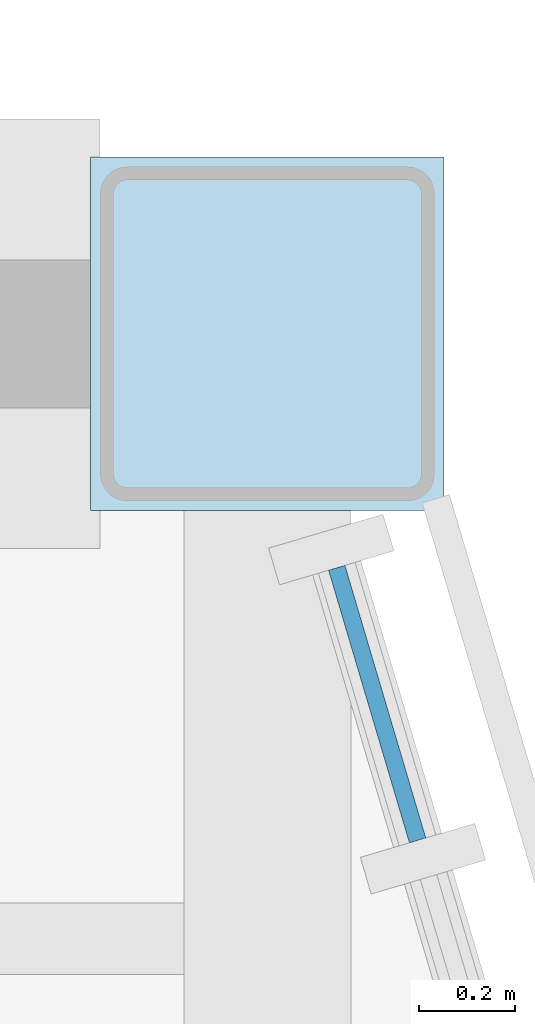
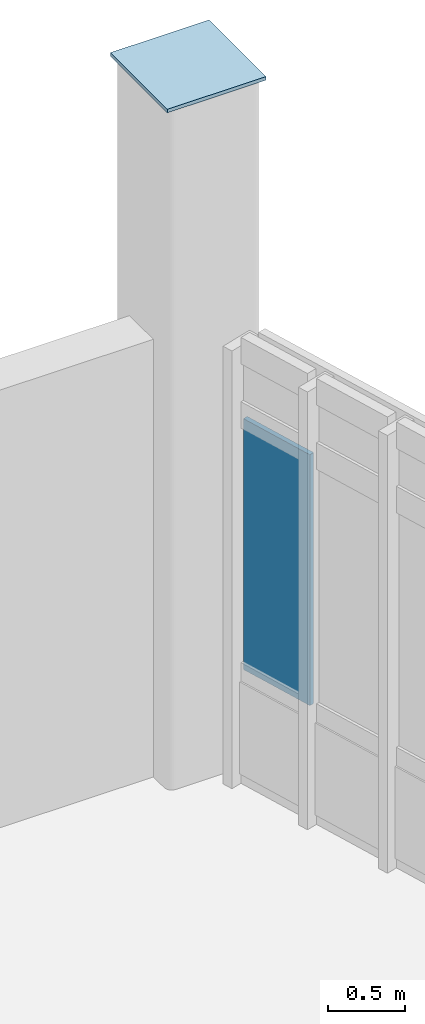
# One storey, part 83 of 127: 2 plates, 1 element without a shape of its own.
"""IFC4 building model written with IfcOpenShell, lengths in metres."""

import ifcopenshell
import ifcopenshell.guid

model = None  # the IFC model being written
_history = None  # IfcOwnerHistory: only IFC2X3 demands one
_inside = {}  # id of a spatial element -> (the spatial element, [elements in it])
_under = {}  # id of a project, library or spatial element -> (it, [spatial elements below it])
_declared = {}  # id of a project -> (the project, [libraries it declares])
_typed = {}  # id of a type object -> (the type object, [elements of that type])
_made_of = {}  # id of a material, layer set ... -> (it, [elements and type objects made of it])


def new_model(schema):
    """Start an empty IFC model of exactly this schema.

    Asked for "IFC4X3", IfcOpenShell would pick the latest addendum, in which some entities
    have other attributes; the version numbers below select the first issue.
    IFC2X3 requires an IfcOwnerHistory on every rooted entity: one is made here for all.
    """
    global model, _history
    if schema == "IFC4X3":
        model = ifcopenshell.file(schema_version=(4, 3, 0, 0))
    else:
        model = ifcopenshell.file(schema=schema)
    _inside.clear()
    _under.clear()
    _declared.clear()
    _typed.clear()
    _made_of.clear()
    _history = None
    if model.schema == "IFC2X3":
        org = make("IfcOrganization", Name="unknown")
        user = make(
            "IfcPersonAndOrganization",
            ThePerson=make("IfcPerson", FamilyName="unknown"),
            TheOrganization=org,
        )
        app = make(
            "IfcApplication",
            ApplicationDeveloper=org,
            Version="unknown",
            ApplicationFullName="unknown",
            ApplicationIdentifier="unknown",
        )
        _history = make(
            "IfcOwnerHistory",
            OwningUser=user,
            OwningApplication=app,
            ChangeAction="ADDED",
            CreationDate=0,
        )
    return model


def make(cls, **values):
    """One entity of the class cls with the attributes given. An attribute that is None is left unset."""
    return model.create_entity(
        cls, **{name: value for name, value in values.items() if value is not None}
    )


def rooted(cls, **values):
    """An entity with a GlobalId (a new one), such as an element, a storey or a relation."""
    return make(cls, GlobalId=ifcopenshell.guid.new(), OwnerHistory=_history, **values)


def si_unit(unit_type, name, prefix=None):
    """IfcSIUnit, for example si_unit("LENGTHUNIT", "METRE", prefix="MILLI")."""
    return make("IfcSIUnit", UnitType=unit_type, Prefix=prefix, Name=name)


def assignment(units):
    """IfcUnitAssignment: the units of a project."""
    return None if units is None else make("IfcUnitAssignment", Units=units)


def point(xyz):
    """IfcCartesianPoint."""
    return None if xyz is None else make("IfcCartesianPoint", Coordinates=xyz)


def direction(xyz):
    """IfcDirection."""
    return None if xyz is None else make("IfcDirection", DirectionRatios=xyz)


def frame(location, z_axis=None, x_axis=None):
    """IfcAxis2Placement3D, a coordinate frame: its origin and axes. An axis left out is left unset."""
    return make(
        "IfcAxis2Placement3D",
        Location=point(location),
        Axis=direction(z_axis),
        RefDirection=direction(x_axis),
    )


def frame_2d(location, x_axis=None):
    """IfcAxis2Placement2D, a coordinate frame in the plane: its origin and x axis."""
    return make(
        "IfcAxis2Placement2D", Location=point(location), RefDirection=direction(x_axis)
    )


def origin():
    """The frame at (0, 0, 0) with its axes left unset."""
    return frame((0.0, 0.0, 0.0))


def origin_2d():
    """The frame at (0, 0) in the plane with its x axis left unset."""
    return frame_2d((0.0, 0.0))


def place(relative_to, where):
    """IfcLocalPlacement: puts the frame where relative to a parent placement (None: the world)."""
    return make(
        "IfcLocalPlacement", PlacementRelTo=relative_to, RelativePlacement=where
    )


def context(
    kind, dimensions, precision=None, world=None, true_north=None, identifier=None
):
    """IfcGeometricRepresentationContext, for example the 3D "Model" context."""
    return make(
        "IfcGeometricRepresentationContext",
        ContextIdentifier=identifier,
        ContextType=kind,
        CoordinateSpaceDimension=dimensions,
        Precision=precision,
        WorldCoordinateSystem=world,
        TrueNorth=true_north,
    )


def subcontext(parent, identifier, kind, view, scale=None):
    """IfcGeometricRepresentationSubContext, for example "Body" below "Model"."""
    return make(
        "IfcGeometricRepresentationSubContext",
        ContextIdentifier=identifier,
        ContextType=kind,
        ParentContext=parent,
        TargetScale=scale,
        TargetView=view,
    )


def project(units=None, contexts=None):
    """IfcProject with its units and contexts."""
    return rooted(
        "IfcProject",
        Name="project",
        RepresentationContexts=contexts,
        UnitsInContext=assignment(units),
    )


def spatial(cls, under=None, at=None, **own):
    """A site, building, storey or space (cls), placed at a placement, below another one or the project."""
    s = rooted(cls, ObjectPlacement=at, **own)
    if under is not None:
        _under.setdefault(under.id(), (under, []))[1].append(s)
    return s


def profile(cls, at=None, kind="AREA", **sizes):
    """A parametric profile (cls). Its sizes go by their IFC names, for example OverallWidth=200.0."""
    return make(cls, ProfileType=kind, Position=at, **sizes)


def rectangle(**sizes):
    """IfcRectangleProfileDef."""
    return profile("IfcRectangleProfileDef", **sizes)


def extrude(swept, where, along, depth):
    """IfcExtrudedAreaSolid: the profile swept, set in the frame where, extruded along a direction by depth."""
    return make(
        "IfcExtrudedAreaSolid",
        SweptArea=swept,
        Position=where,
        ExtrudedDirection=direction(along),
        Depth=depth,
    )


def shape(context_of_items, identifier, shape_type, items):
    """IfcShapeRepresentation: the items that make up one representation, for example the "Body"."""
    return make(
        "IfcShapeRepresentation",
        ContextOfItems=context_of_items,
        RepresentationIdentifier=identifier,
        RepresentationType=shape_type,
        Items=items,
    )


def material(Name=None, Category=None):
    """IfcMaterial."""
    return make("IfcMaterial", Name=Name, Category=Category)


def layer(
    of_material, thickness, ventilated=None, Name=None, Category=None, Priority=None
):
    """IfcMaterialLayer: one layer of a wall or slab, of a material (None: an air gap)."""
    return make(
        "IfcMaterialLayer",
        Material=of_material,
        LayerThickness=thickness,
        IsVentilated=ventilated,
        Name=Name,
        Category=Category,
        Priority=Priority,
    )


def layer_set(layers, Name=None):
    """IfcMaterialLayerSet."""
    return make("IfcMaterialLayerSet", MaterialLayers=layers, LayerSetName=Name)


def made_of(thing, what):
    """Note that an element or type object is made of a material, layer set ...; save() writes the relation."""
    if what is not None:
        _made_of.setdefault(what.id(), (what, []))[1].append(thing)
    return thing


def type_object(cls, material=None, **own):
    """A type object (cls), such as IfcWallType, which elements share."""
    return made_of(rooted(cls, **own), material)


def element(
    cls,
    number,
    at=None,
    inside=None,
    cuts=None,
    type_object=None,
    material=None,
    context=None,
    identifier="Body",
    shape_type=None,
    held_by="IfcProductDefinitionShape",
    body=None,
    shapes=None,
    **own,
):
    """One element of the class cls, such as IfcWall. Its Tag is "e" and its number.

    at: its placement. inside: the storey or other place that contains it. cuts: it is an
    opening in that element (IfcRelVoidsElement). A single representation is given by context,
    identifier, shape_type and body (its items); several are given by shapes. held_by: the class
    of the entity that holds the representations. save() writes the other relations.
    """
    e = rooted(cls, Tag="e%d" % number, ObjectPlacement=at, **own)
    if body is not None:
        shapes = [shape(context, identifier, shape_type, body)]
    if shapes is not None:
        e.Representation = make(held_by, Representations=shapes)
    if inside is not None:
        _inside.setdefault(inside.id(), (inside, []))[1].append(e)
    if cuts is not None:
        rooted(
            "IfcRelVoidsElement", RelatingBuildingElement=cuts, RelatedOpeningElement=e
        )
    if type_object is not None:
        _typed.setdefault(type_object.id(), (type_object, []))[1].append(e)
    return made_of(e, material)


def aggregate(whole, parts):
    """IfcRelAggregates: a whole, such as a stair, and the parts it consists of."""
    return rooted("IfcRelAggregates", RelatingObject=whole, RelatedObjects=parts)


def save(model, path):
    """Write the relations noted so far, then the file.

    IfcRelAggregates (storeys below a building ...), IfcRelContainedInSpatialStructure (elements
    in a storey), IfcRelDefinesByType, IfcRelAssociatesMaterial and IfcRelDeclares: one each for
    every whole, place, type object, material and project.
    """
    for whole, parts in _under.values():
        aggregate(whole, parts)
    for where, things in _inside.values():
        rooted(
            "IfcRelContainedInSpatialStructure",
            RelatedElements=things,
            RelatingStructure=where,
        )
    for kind, things in _typed.values():
        rooted("IfcRelDefinesByType", RelatedObjects=things, RelatingType=kind)
    for what, things in _made_of.values():
        rooted("IfcRelAssociatesMaterial", RelatedObjects=things, RelatingMaterial=what)
    for by, libraries in _declared.values():
        rooted("IfcRelDeclares", RelatingContext=by, RelatedDefinitions=libraries)
    model.write(path)


model = new_model("IFC4")

# Units and contexts
model_context = context("Model", 3, precision=1e-05, world=origin(), true_north=direction((0.0, 1.0)))
body_context = subcontext(model_context, "Body", "Model", "MODEL_VIEW")
ifc_project = project(units=[si_unit("LENGTHUNIT", "METRE"), si_unit("AREAUNIT", "SQUARE_METRE"), si_unit("VOLUMEUNIT", "CUBIC_METRE"), si_unit("PLANEANGLEUNIT", "RADIAN"), si_unit("MASSUNIT", "GRAM", prefix="KILO")], contexts=[model_context])

# Site, building, storey
site_placement = place(None, origin())
site = spatial("IfcSite", under=ifc_project, at=site_placement, CompositionType="ELEMENT")
building_placement = place(site_placement, origin())
building = spatial("IfcBuilding", under=site, at=building_placement, Name="Larkvane Passage Sports Hall", CompositionType="ELEMENT")
storey_placement = place(building_placement, frame((0.0, 0.0, 5.39990234375)))
storey = spatial("IfcBuildingStorey", under=building, at=storey_placement, Name="L01", CompositionType="ELEMENT", Elevation=5.39990234375)

# Curtain wall, plate
ifc_material_1 = material(Name="Thermally broken aluminium and low-E glazing", Category="aluminium")
curtain_wall_type = type_object("IfcCurtainWallType", Name="CW-STICK-FOYER", PredefinedType="USERDEFINED", material=ifc_material_1)
curtain_wall_placement = place(storey_placement, origin())
curtain_wall = element("IfcCurtainWall", 1, at=curtain_wall_placement, inside=storey, type_object=curtain_wall_type, Name="Curtain wall CW5-L01-054", ObjectType="STICK CURTAIN WALL", PredefinedType="USERDEFINED")
ifc_material_2 = material(Name="High-impact court low-E glazing", Category="glass")
ifc_layer_1 = layer(ifc_material_2, 0.035888671875)
ifc_layer_set_1 = layer_set([ifc_layer_1], Name="High-impact court low-E glazing")
plate_type_1 = type_object("IfcPlateType", Name="CWP-VIS-36", PredefinedType="CURTAIN_PANEL", material=ifc_layer_set_1)
plate_1_placement = place(storey_placement, frame((145.830078125, 98.424560546875, 0.89013671875), z_axis=(0.0, 0.0, 1.0), x_axis=(0.28436317806, -0.958716633299, 0.0)))
plate_1 = element("IfcPlate", 2, at=plate_1_placement, type_object=plate_type_1, Name="CW-03 panel 1.2", PredefinedType="CURTAIN_PANEL", context=body_context, shape_type="SweptSolid", body=[
    extrude(rectangle(XDim=0.595458984375, YDim=0.035888671875, at=origin_2d()), origin(), (0.0, 0.0, 1.0), 1.988037109375),
])
aggregate(curtain_wall, [plate_1])

# Plate
ifc_material_3 = material(Name="Steel S460N", Category="steel")
ifc_layer_2 = layer(ifc_material_3, 0.028076171875)
ifc_layer_set_2 = layer_set([ifc_layer_2], Name="Steel S460N")
plate_type_2 = type_object("IfcPlateType", Name="PLT-CAP-28", PredefinedType="SHEET", material=ifc_layer_set_2)
plate_2_placement = place(storey_placement, frame((145.60009765625, 99.199951171875, 5.39990234375), z_axis=(0.0, 0.0, 1.0), x_axis=(1.0, 0.0, 0.0)))
element("IfcPlate", 3, at=plate_2_placement, inside=storey, type_object=plate_type_2, Name="Hollow section sealed end cap plate 0042", PredefinedType="SHEET", context=body_context, shape_type="SweptSolid", body=[
    extrude(rectangle(XDim=0.739990234375, YDim=0.739990234375, at=origin_2d()), origin(), (0.0, 0.0, 1.0), 0.028076171875),
])

save(model, "model.ifc")
